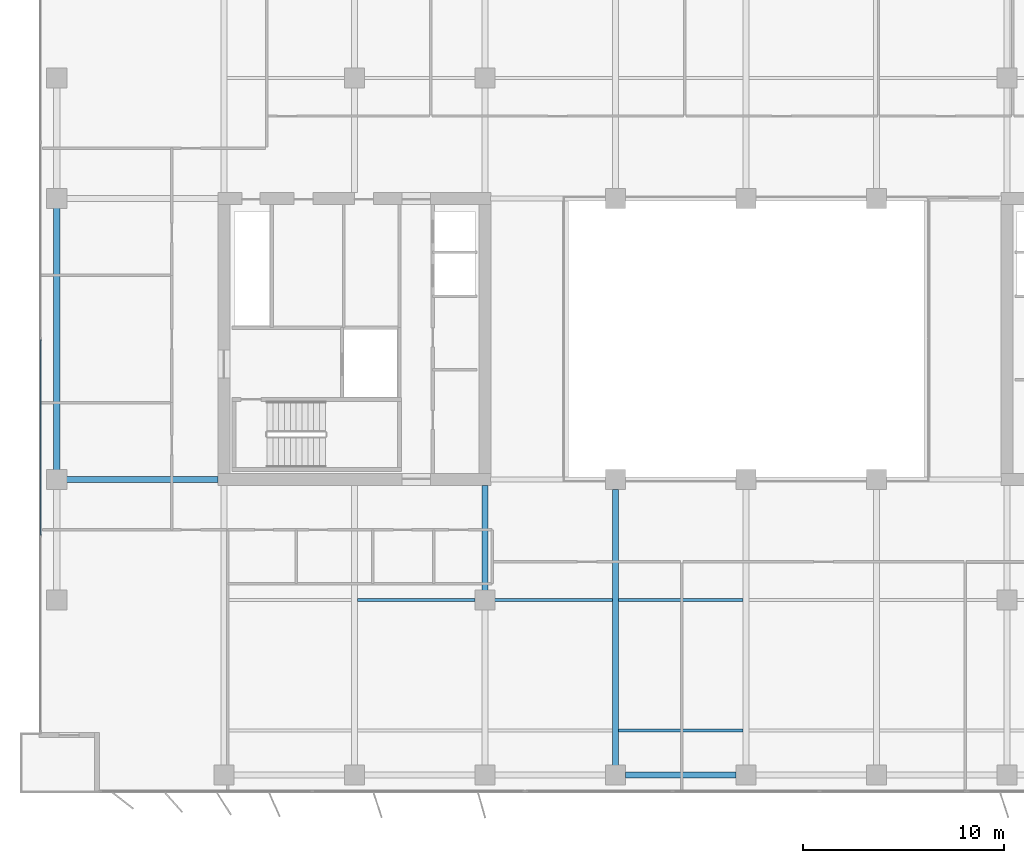
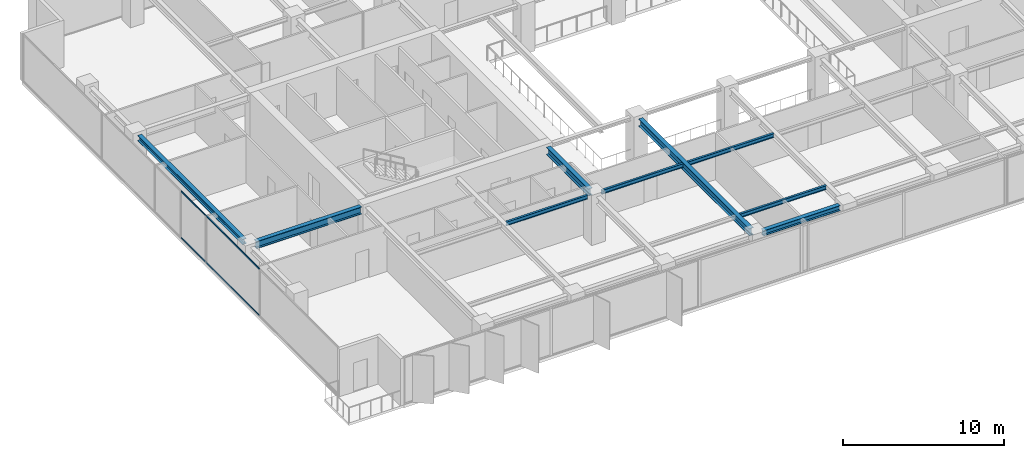
# One storey, part 3 of 22: 9 beams, 2 members, 1 element without a shape of its own.
"""IFC4 building model written with IfcOpenShell, lengths in metres."""

from ifc_helpers import new_model, si_unit, direction, frame, origin, origin_2d, place, context, subcontext, project, spatial, rectangle, i_section, extrude, material, layer, layer_set, material_profile, profile_set, type_object, element, aggregate, save


model = new_model("IFC4")

# Units and contexts
model_context = context("Model", 3, precision=1e-05, world=origin(), true_north=direction((0.0, 1.0)))
body_context = subcontext(model_context, "Body", "Model", "MODEL_VIEW")
ifc_project = project(units=[si_unit("LENGTHUNIT", "METRE"), si_unit("AREAUNIT", "SQUARE_METRE"), si_unit("VOLUMEUNIT", "CUBIC_METRE"), si_unit("PLANEANGLEUNIT", "RADIAN"), si_unit("MASSUNIT", "GRAM", prefix="KILO")], contexts=[model_context])

# Site, building, storey
site_placement = place(None, origin())
site = spatial("IfcSite", under=ifc_project, at=site_placement, CompositionType="ELEMENT")
building_placement = place(site_placement, origin())
building = spatial("IfcBuilding", under=site, at=building_placement, Name="Putna Gate Headquarters", CompositionType="ELEMENT")
storey_placement = place(building_placement, frame((0.0, 0.0, 159.39990234375)))
storey = spatial("IfcBuildingStorey", under=building, at=storey_placement, Name="L39", CompositionType="ELEMENT", Elevation=159.39990234375)

# Beams
ifc_material_1 = material(Name="Steel S355J2", Category="steel")
ifc_material_profile_1 = material_profile(ifc_material_1, i_section(OverallWidth=0.300048828125, OverallDepth=0.550048828125, WebThickness=0.014892578125, FlangeThickness=0.029052734375, at=origin_2d()), Name="Steel S355J2")
ifc_profile_set_1 = profile_set([ifc_material_profile_1], Name="Steel S355J2")
beam_type_1 = type_object("IfcBeamType", Name="BM-GIRD-Z3-HEB550", PredefinedType="USERDEFINED", material=ifc_profile_set_1)
beam_1_placement = place(storey_placement, frame((5.16796875, 19.0, 3.297119140625), z_axis=(1.0, 0.0, 0.0), x_axis=(0.0, 1.0, 0.0)))
element("IfcBeam", 1, at=beam_1_placement, inside=storey, type_object=beam_type_1, Name="L39 West Wing Girder Y19", ObjectType="GIRDER", PredefinedType="USERDEFINED", context=body_context, shape_type="SweptSolid", body=[
    extrude(i_section(OverallWidth=0.300048828125, OverallDepth=0.550048828125, WebThickness=0.014892578125, FlangeThickness=0.029052734375, at=origin_2d()), origin(), (0.0, 0.0, 1.0), 7.547119140625),
])
beam_2_placement = place(storey_placement, frame((26.0, 13.488037109375, 3.297119140625), z_axis=(0.0, 1.0, 0.0), x_axis=(-1.0, 0.0, 0.0)))
element("IfcBeam", 2, at=beam_2_placement, inside=storey, type_object=beam_type_1, Name="L39 South Primary Girder X26-2", ObjectType="GIRDER", PredefinedType="USERDEFINED", context=body_context, shape_type="SweptSolid", body=[
    extrude(i_section(OverallWidth=0.300048828125, OverallDepth=0.550048828125, WebThickness=0.014892578125, FlangeThickness=0.029052734375, at=origin_2d()), origin(), (0.0, 0.0, 1.0), 5.22705078125),
])
beam_3_placement = place(storey_placement, frame((32.5, 4.76806640625, 3.297119140625), z_axis=(0.0, 1.0, 0.0), x_axis=(-1.0, 0.0, 0.0)))
element("IfcBeam", 3, at=beam_3_placement, inside=storey, type_object=beam_type_1, Name="L39 South Primary Girder X32", ObjectType="GIRDER", PredefinedType="USERDEFINED", context=body_context, shape_type="SweptSolid", body=[
    extrude(i_section(OverallWidth=0.300048828125, OverallDepth=0.550048828125, WebThickness=0.014892578125, FlangeThickness=0.029052734375, at=origin_2d()), origin(), (0.0, 0.0, 1.0), 13.743896484375),
])
ifc_material_profile_2 = material_profile(ifc_material_1, i_section(OverallWidth=0.14990234375, OverallDepth=0.300048828125, WebThickness=0.007080078125, FlangeThickness=0.0107421875, at=origin_2d()), Name="Steel S355J2")
ifc_profile_set_2 = profile_set([ifc_material_profile_2], Name="Steel S355J2")
beam_type_2 = type_object("IfcBeamType", Name="BM-SEC-Z3-IPE300", PredefinedType="JOIST", material=ifc_profile_set_2)
for number, where, z_axis, x_axis, name in (
    (4, (19.654052734375, 13.0, 3.422119140625), (1.0, 0.0, 0.0), (0.0, 1.0, 0.0), "L39 South Secondary Beam 2"),
    (5, (26.488037109375, 13.0, 3.422119140625), (1.0, 0.0, 0.0), (0.0, 1.0, 0.0), "L39 South Secondary Beam 3"),
):
    element("IfcBeam", number, at=place(storey_placement, frame(where, z_axis=z_axis, x_axis=x_axis)), inside=storey, type_object=beam_type_2, Name=name, PredefinedType="JOIST", context=body_context, shape_type="SweptSolid", body=[
        extrude(i_section(OverallWidth=0.14990234375, OverallDepth=0.300048828125, WebThickness=0.007080078125, FlangeThickness=0.0107421875, at=origin_2d()), origin(), (0.0, 0.0, 1.0), 5.85791015625),
    ])
for number, where, z_axis, x_axis, name in (
    (6, (32.654052734375, 6.5, 3.422119140625), (1.0, 0.0, 0.0), (0.0, 1.0, 0.0), "L39 South Secondary Beam 4"),
    (7, (32.654052734375, 13.0, 3.422119140625), (1.0, 0.0, 0.0), (0.0, 1.0, 0.0), "L39 South Secondary Beam 4"),
):
    element("IfcBeam", number, at=place(storey_placement, frame(where, z_axis=z_axis, x_axis=x_axis)), inside=storey, type_object=beam_type_2, Name=name, PredefinedType="JOIST", context=body_context, shape_type="SweptSolid", body=[
        extrude(i_section(OverallWidth=0.14990234375, OverallDepth=0.300048828125, WebThickness=0.007080078125, FlangeThickness=0.0107421875, at=origin_2d()), origin(), (0.0, 0.0, 1.0), 6.19189453125),
    ])
ifc_material_profile_3 = material_profile(ifc_material_1, i_section(OverallWidth=0.300048828125, OverallDepth=0.39990234375, WebThickness=0.013427734375, FlangeThickness=0.02392578125, at=origin_2d()), Name="Steel S355J2")
ifc_profile_set_3 = profile_set([ifc_material_profile_3], Name="Steel S355J2")
beam_type_3 = type_object("IfcBeamType", Name="BM-SPAN-Z3-HEB400", PredefinedType="SPANDREL", material=ifc_profile_set_3)
beam_4_placement = place(storey_placement, frame((32.988037109375, 4.280029296875, 3.3720703125), z_axis=(1.0, 0.0, 0.0), x_axis=(0.0, 1.0, 0.0)))
element("IfcBeam", 8, at=beam_4_placement, inside=storey, type_object=beam_type_3, Name="L39 S Perimeter Spandrel 4", PredefinedType="SPANDREL", context=body_context, shape_type="SweptSolid", body=[
    extrude(i_section(OverallWidth=0.300048828125, OverallDepth=0.39990234375, WebThickness=0.013427734375, FlangeThickness=0.02392578125, at=origin_2d()), origin(), (0.0, 0.0, 1.0), 5.52392578125),
])
beam_5_placement = place(storey_placement, frame((4.679931640625, 19.488037109375, 3.3720703125), z_axis=(0.0, 1.0, 0.0), x_axis=(-1.0, 0.0, 0.0)))
element("IfcBeam", 9, at=beam_5_placement, inside=storey, type_object=beam_type_3, Name="L39 W End Spandrel 2", PredefinedType="SPANDREL", context=body_context, shape_type="SweptSolid", body=[
    extrude(i_section(OverallWidth=0.300048828125, OverallDepth=0.39990234375, WebThickness=0.013427734375, FlangeThickness=0.02392578125, at=origin_2d()), origin(), (0.0, 0.0, 1.0), 13.02392578125),
])

# Curtain wall, members
ifc_material_2 = material(Name="Anodised bronze aluminium curtain wall", Category="aluminium")
ifc_layer = layer(ifc_material_2, 0.159912109375)
ifc_layer_set = layer_set([ifc_layer], Name="Anodised bronze aluminium curtain wall")
curtain_wall_type = type_object("IfcCurtainWallType", Name="CW-SYS-Z3", PredefinedType="USERDEFINED", material=ifc_layer_set)
curtain_wall_placement = place(storey_placement, origin())
curtain_wall = element("IfcCurtainWall", 10, at=curtain_wall_placement, inside=storey, type_object=curtain_wall_type, Name="L39 West Curtain Wall", ObjectType="STICK CURTAIN WALL", PredefinedType="USERDEFINED")
ifc_material_3 = material(Name="Anodised bronze aluminium EN AW-6060", Category="aluminium")
ifc_material_profile_4 = material_profile(ifc_material_3, rectangle(XDim=0.06005859375, YDim=0.10009765625, at=origin_2d()), Name="Anodised bronze aluminium EN AW-6060")
ifc_profile_set_4 = profile_set([ifc_material_profile_4], Name="Anodised bronze aluminium EN AW-6060")
member_type = type_object("IfcMemberType", Name="TRAN-CWT-3", PredefinedType="USERDEFINED", material=ifc_profile_set_4)
member_1_placement = place(storey_placement, frame((3.8798828125, 16.232421875, 0.030029296875), z_axis=(0.0, 1.0, 0.0), x_axis=(-1.0, 0.0, 0.0)))
member_1 = element("IfcMember", 11, at=member_1_placement, type_object=member_type, Name="CWS-3 transom 2.1", ObjectType="TRANSOM", PredefinedType="USERDEFINED", context=body_context, shape_type="SweptSolid", body=[
    extrude(rectangle(XDim=0.06005859375, YDim=0.10009765625, at=origin_2d()), origin(), (0.0, 0.0, 1.0), 9.735107421875),
])
member_2_placement = place(storey_placement, frame((3.8798828125, 16.232421875, 3.5419921875), z_axis=(0.0, 1.0, 0.0), x_axis=(-1.0, 0.0, 0.0)))
member_2 = element("IfcMember", 12, at=member_2_placement, type_object=member_type, Name="CWS-3 transom 2.2", ObjectType="TRANSOM", PredefinedType="USERDEFINED", context=body_context, shape_type="SweptSolid", body=[
    extrude(rectangle(XDim=0.06005859375, YDim=0.10009765625, at=origin_2d()), origin(), (0.0, 0.0, 1.0), 9.735107421875),
])
aggregate(curtain_wall, [member_1, member_2])

save(model, "model.ifc")
